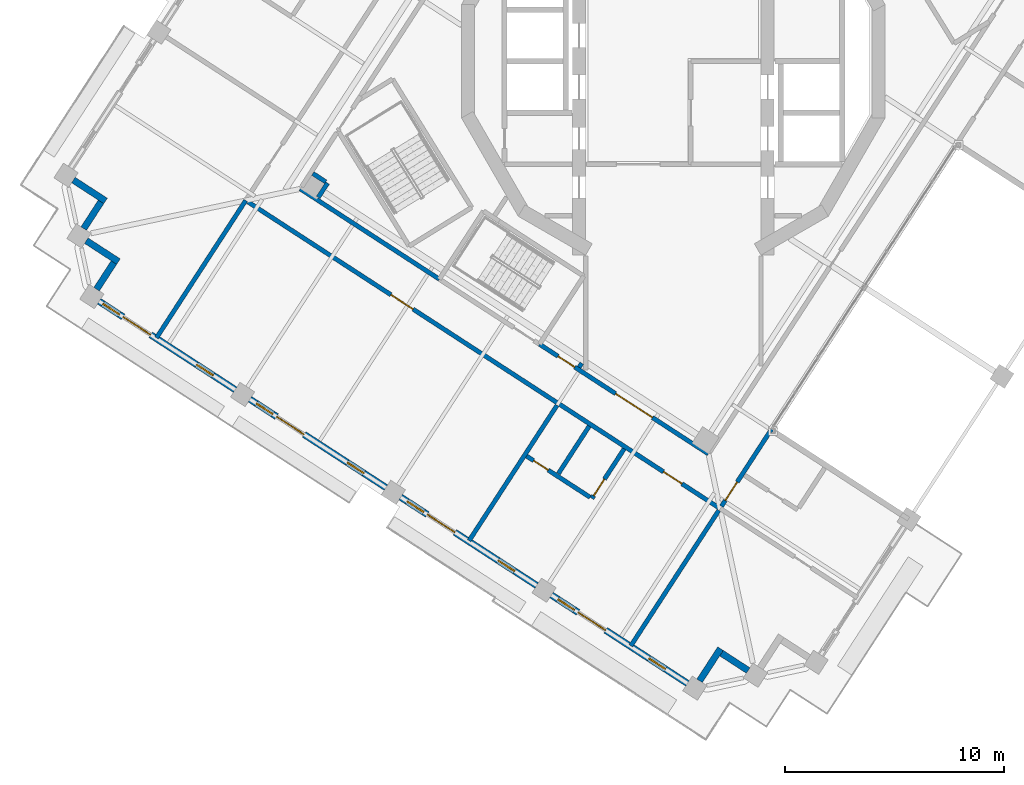
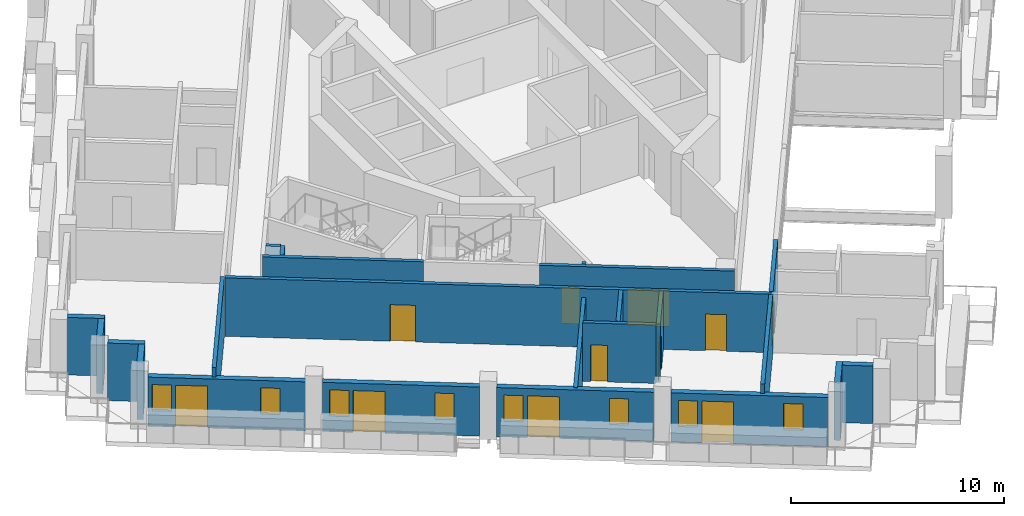
# One storey, part 5 of 17: 23 walls, 11 doors, 8 windows, 19 openings.
"""IFC4 building model written with IfcOpenShell, lengths in metres."""

from ifc_helpers import new_model, si_unit, direction, frame, frame_2d, origin, place, context, subcontext, project, spatial, rectangle, extrude, material, layer, layer_set, type_object, element, fill, save


model = new_model("IFC4")

# Units and contexts
model_context = context("Model", 3, precision=1e-05, world=origin(), true_north=direction((0.0, 1.0)))
body_context = subcontext(model_context, "Body", "Model", "MODEL_VIEW")
ifc_project = project(units=[si_unit("LENGTHUNIT", "METRE"), si_unit("AREAUNIT", "SQUARE_METRE"), si_unit("VOLUMEUNIT", "CUBIC_METRE"), si_unit("PLANEANGLEUNIT", "RADIAN"), si_unit("MASSUNIT", "GRAM", prefix="KILO")], contexts=[model_context])

# Site, building, storey
site_placement = place(None, origin())
site = spatial("IfcSite", under=ifc_project, at=site_placement, CompositionType="ELEMENT")
building_placement = place(site_placement, origin())
building = spatial("IfcBuilding", under=site, at=building_placement, Name="Cantera Rosa Tower", CompositionType="ELEMENT")
storey_placement = place(building_placement, frame((0.0, 0.0, 254.10009765625)))
storey = spatial("IfcBuildingStorey", under=building, at=storey_placement, Name="L56", CompositionType="ELEMENT", Elevation=254.10009765625)

# Wall, openings, doors
ifc_material_1 = material(Name="Gypsum board partition")
ifc_layer_1 = layer(ifc_material_1, 0.199951171875)
ifc_layer_set_1 = layer_set([ifc_layer_1], Name="CORRIDOR WALL 200 H3350")
wall_type_1 = type_object("IfcWallType", Name="CORRIDOR WALL 200 H3350", PredefinedType="PARTITIONING", material=ifc_layer_set_1)
wall_1_placement = place(storey_placement, frame((-19.4052734375, -6.416259765625, 0.0), z_axis=(0.0, 0.0, 1.0), x_axis=(0.83867117695, -0.544638097229, 0.0)))
wall_1 = element("IfcWall", 1, at=wall_1_placement, inside=storey, type_object=wall_type_1, Name="CORRIDOR WALL L56-002", PredefinedType="PARTITIONING", context=body_context, shape_type="SweptSolid", body=[
    extrude(rectangle(XDim=25.679931640625, YDim=0.199951171875, at=frame_2d((12.83984375, 0.0))), origin(), (0.0, 0.0, 1.0), 3.349853515625),
])
opening_1_placement = place(wall_1_placement, frame((7.780029296875, 0.0, 0.0)))
opening_1 = element("IfcOpeningElement", 2, at=opening_1_placement, cuts=wall_1, Name="Opening L56-037", PredefinedType="OPENING", context=body_context, shape_type="SweptSolid", body=[
    extrude(rectangle(XDim=1.199951171875, YDim=2.10009765625, at=frame_2d((0.60009765625, 1.050048828125))), frame((0.0, 0.10986328125, 0.0), z_axis=(0.0, -1.0, 0.0), x_axis=(1.0, 0.0, 0.0)), (0.0, 0.0, 1.0), 0.219970703125),
])
opening_2_placement = place(wall_1_placement, frame((22.60498046875, 0.0, 0.0)))
opening_2 = element("IfcOpeningElement", 3, at=opening_2_placement, cuts=wall_1, Name="Opening L56-038", PredefinedType="OPENING", context=body_context, shape_type="SweptSolid", body=[
    extrude(rectangle(XDim=1.0, YDim=2.10009765625, at=frame_2d((0.5, 1.050048828125))), frame((0.0, 0.10986328125, 0.0), z_axis=(0.0, -1.0, 0.0), x_axis=(1.0, 0.0, 0.0)), (0.0, 0.0, 1.0), 0.219970703125),
])
ifc_material_2 = material(Name="Timber door leaf", Category="wood")
door_type_1 = type_object("IfcDoorType", Name="ENTRANCE DOOR 1000x2100", OperationType="NOTDEFINED", PredefinedType="DOOR", material=ifc_material_2)
door_1_placement = place(opening_2_placement, origin())
door_1 = element("IfcDoor", 4, at=door_1_placement, inside=storey, type_object=door_type_1, Name="DOOR L56-038", OperationType="NOTDEFINED", OverallHeight=2.10009765625, OverallWidth=1.0, PredefinedType="DOOR", context=body_context, shape_type="SweptSolid", body=[
    extrude(rectangle(XDim=1.0, YDim=2.10009765625, at=frame_2d((0.5, 1.050048828125))), frame((0.0, 0.02490234375, 0.0), z_axis=(0.0, -1.0, 0.0), x_axis=(1.0, 0.0, 0.0)), (0.0, 0.0, 1.0), 0.050048828125),
])
fill(opening_2, door_1)
ifc_material_3 = material(Name="Timber door leaf", Category="wood")
door_type_2 = type_object("IfcDoorType", Name="ROOM DOOR 1200x2100", OperationType="NOTDEFINED", PredefinedType="DOOR", material=ifc_material_3)
door_2_placement = place(opening_1_placement, origin())
door_2 = element("IfcDoor", 5, at=door_2_placement, inside=storey, type_object=door_type_2, Name="DOOR L56-037", OperationType="NOTDEFINED", OverallHeight=2.10009765625, OverallWidth=1.199951171875, PredefinedType="DOOR", context=body_context, shape_type="SweptSolid", body=[
    extrude(rectangle(XDim=1.199951171875, YDim=2.10009765625, at=frame_2d((0.60009765625, 1.050048828125))), frame((0.0, 0.02490234375, 0.0), z_axis=(0.0, -1.0, 0.0), x_axis=(1.0, 0.0, 0.0)), (0.0, 0.0, 1.0), 0.050048828125),
])
fill(opening_1, door_2)

# Wall
wall_2_placement = place(storey_placement, frame((-17.015869140625, -5.82177734375, 0.0), z_axis=(0.0, 0.0, 1.0), x_axis=(0.838672854678, -0.544635513739, 0.0)))
element("IfcWall", 6, at=wall_2_placement, inside=storey, type_object=wall_type_1, Name="CORRIDOR WALL L56-005", PredefinedType="PARTITIONING", context=body_context, shape_type="SweptSolid", body=[
    extrude(rectangle(XDim=7.56494140625, YDim=0.199951171875, at=frame_2d((3.782470703125, 0.0))), origin(), (0.0, 0.0, 1.0), 3.349853515625),
])

# Wall, openings, doors
wall_3_placement = place(storey_placement, frame((-6.1005859375, -12.91015625, 0.0), z_axis=(0.0, 0.0, 1.0), x_axis=(0.838671883824, -0.544637008734, 0.0)))
wall_3 = element("IfcWall", 7, at=wall_3_placement, inside=storey, type_object=wall_type_1, Name="CORRIDOR WALL L56-031", PredefinedType="PARTITIONING", context=body_context, shape_type="SweptSolid", body=[
    extrude(rectangle(XDim=9.184814453125, YDim=0.199951171875, at=frame_2d((4.59228515625, 0.0))), origin(), (0.0, 0.0, 1.0), 3.349853515625),
])
opening_3_placement = place(wall_3_placement, frame((1.009521484375, 0.0, 0.0)))
opening_3 = element("IfcOpeningElement", 8, at=opening_3_placement, cuts=wall_3, Name="Opening L56-005", PredefinedType="OPENING", context=body_context, shape_type="SweptSolid", body=[
    extrude(rectangle(XDim=0.89990234375, YDim=2.10009765625, at=frame_2d((0.449951171875, 1.050048828125))), frame((0.0, 0.10986328125, 0.0), z_axis=(0.0, -1.0, 0.0), x_axis=(1.0, 0.0, 0.0)), (0.0, 0.0, 1.0), 0.219970703125),
])
opening_4_placement = place(wall_3_placement, frame((4.135009765625, 0.0, 0.0)))
opening_4 = element("IfcOpeningElement", 9, at=opening_4_placement, cuts=wall_3, Name="Opening L56-010", PredefinedType="OPENING", context=body_context, shape_type="SweptSolid", body=[
    extrude(rectangle(XDim=2.0, YDim=2.10009765625, at=frame_2d((1.0, 1.050048828125))), frame((0.0, 0.10986328125, 0.0), z_axis=(0.0, -1.0, 0.0), x_axis=(1.0, 0.0, 0.0)), (0.0, 0.0, 1.0), 0.219970703125),
])
ifc_material_4 = material(Name="Steel S355J2 (EN 10025-2)", Category="steel")
door_type_3 = type_object("IfcDoorType", Name="LOBBY SCREEN DOOR 2000x2100", OperationType="NOTDEFINED", PredefinedType="DOOR", material=ifc_material_4)
door_3_placement = place(opening_4_placement, origin())
door_3 = element("IfcDoor", 10, at=door_3_placement, inside=storey, type_object=door_type_3, Name="DOOR L56-010", OperationType="NOTDEFINED", OverallHeight=2.10009765625, OverallWidth=2.0, PredefinedType="DOOR", context=body_context, shape_type="SweptSolid", body=[
    extrude(rectangle(XDim=2.0, YDim=2.10009765625, at=frame_2d((1.0, 1.050048828125))), frame((0.0, 0.02490234375, 0.0), z_axis=(0.0, -1.0, 0.0), x_axis=(1.0, 0.0, 0.0)), (0.0, 0.0, 1.0), 0.050048828125),
])
fill(opening_4, door_3)
ifc_material_5 = material(Name="Timber door leaf", Category="wood")
door_type_4 = type_object("IfcDoorType", Name="SERVICE DOOR 900x2100", OperationType="NOTDEFINED", PredefinedType="DOOR", material=ifc_material_5)
door_4_placement = place(opening_3_placement, origin())
door_4 = element("IfcDoor", 11, at=door_4_placement, inside=storey, type_object=door_type_4, Name="DOOR L56-005", OperationType="NOTDEFINED", OverallHeight=2.10009765625, OverallWidth=0.89990234375, PredefinedType="DOOR", context=body_context, shape_type="SweptSolid", body=[
    extrude(rectangle(XDim=0.89990234375, YDim=2.10009765625, at=frame_2d((0.449951171875, 1.050048828125))), frame((0.0, 0.02490234375, 0.0), z_axis=(0.0, -1.0, 0.0), x_axis=(1.0, 0.0, 0.0)), (0.0, 0.0, 1.0), 0.050048828125),
])
fill(opening_3, door_4)

# Wall, opening, door
wall_4_placement = place(storey_placement, frame((2.197265625, -20.302001953125, 0.0), z_axis=(0.0, 0.0, 1.0), x_axis=(0.544627823196, 0.83867784888, 0.0)))
wall_4 = element("IfcWall", 12, at=wall_4_placement, inside=storey, type_object=wall_type_1, Name="CORRIDOR WALL L56-059", PredefinedType="PARTITIONING", context=body_context, shape_type="SweptSolid", body=[
    extrude(rectangle(XDim=4.284912109375, YDim=0.199951171875, at=frame_2d((2.142578125, 0.0))), origin(), (0.0, 0.0, 1.0), 3.349853515625),
])
opening_5_placement = place(wall_4_placement, frame((0.320068359375, 0.0, 0.0)))
opening_5 = element("IfcOpeningElement", 13, at=opening_5_placement, cuts=wall_4, Name="Opening L56-043", PredefinedType="OPENING", context=body_context, shape_type="SweptSolid", body=[
    extrude(rectangle(XDim=1.0, YDim=2.10009765625, at=frame_2d((0.5, 1.050048828125))), frame((0.0, 0.10986328125, 0.0), z_axis=(0.0, -1.0, 0.0), x_axis=(1.0, 0.0, 0.0)), (0.0, 0.0, 1.0), 0.219970703125),
])
door_5_placement = place(opening_5_placement, origin())
door_5 = element("IfcDoor", 14, at=door_5_placement, inside=storey, type_object=door_type_1, Name="DOOR L56-043", OperationType="NOTDEFINED", OverallHeight=2.10009765625, OverallWidth=1.0, PredefinedType="DOOR", context=body_context, shape_type="SweptSolid", body=[
    extrude(rectangle(XDim=1.0, YDim=2.10009765625, at=frame_2d((0.5, 1.050048828125))), frame((0.0, 0.02490234375, 0.0), z_axis=(0.0, -1.0, 0.0), x_axis=(1.0, 0.0, 0.0)), (0.0, 0.0, 1.0), 0.050048828125),
])
fill(opening_5, door_5)

# Walls
ifc_material_6 = material(Name="Hollow clay masonry with cantera stone cladding", Category="masonry")
ifc_layer_2 = layer(ifc_material_6, 0.300048828125)
ifc_layer_set_2 = layer_set([ifc_layer_2], Name="EW-LOGGIA 300")
wall_type_2 = type_object("IfcWallType", Name="EW-LOGGIA 300", PredefinedType="SOLIDWALL", material=ifc_layer_set_2)
wall_5_placement = place(storey_placement, frame((-27.36669921875, -5.41943359375, 0.0), z_axis=(0.0, 0.0, 1.0), x_axis=(0.838685761837, -0.54461563776, 0.0)))
element("IfcWall", 15, at=wall_5_placement, inside=storey, type_object=wall_type_2, Name="EN-L56-W12a", PredefinedType="SOLIDWALL", context=body_context, shape_type="SweptSolid", body=[
    extrude(rectangle(XDim=1.75, YDim=0.300048828125, at=frame_2d((0.875, 0.0))), origin(), (0.0, 0.0, 1.0), 3.2998046875),
])
wall_6_placement = place(storey_placement, frame((-26.1064453125, -6.41650390625, 0.0), z_axis=(0.0, 0.0, 1.0), x_axis=(-0.54467465438, -0.838647435384, 0.0)))
element("IfcWall", 16, at=wall_6_placement, inside=storey, type_object=wall_type_2, Name="EN-L56-W12b", PredefinedType="SOLIDWALL", context=body_context, shape_type="SweptSolid", body=[
    extrude(rectangle(XDim=1.449951171875, YDim=0.300048828125, at=frame_2d((0.72509765625, 0.0))), origin(), (0.0, 0.0, 1.0), 3.2998046875),
])
wall_7_placement = place(storey_placement, frame((-26.778564453125, -8.18603515625, 0.0), z_axis=(0.0, 0.0, 1.0), x_axis=(0.838685761837, -0.54461563776, 0.0)))
element("IfcWall", 17, at=wall_7_placement, inside=storey, type_object=wall_type_2, Name="EN-L56-W13a", PredefinedType="SOLIDWALL", context=body_context, shape_type="SweptSolid", body=[
    extrude(rectangle(XDim=1.75, YDim=0.300048828125, at=frame_2d((0.875, 0.0))), origin(), (0.0, 0.0, 1.0), 3.2998046875),
])
wall_8_placement = place(storey_placement, frame((-25.518310546875, -9.18310546875, 0.0), z_axis=(0.0, 0.0, 1.0), x_axis=(-0.54467465438, -0.838647435384, 0.0)))
element("IfcWall", 18, at=wall_8_placement, inside=storey, type_object=wall_type_2, Name="EN-L56-W13b", PredefinedType="SOLIDWALL", context=body_context, shape_type="SweptSolid", body=[
    extrude(rectangle(XDim=1.449951171875, YDim=0.300048828125, at=frame_2d((0.72509765625, 0.0))), origin(), (0.0, 0.0, 1.0), 3.2998046875),
])
wall_9_placement = place(storey_placement, frame((1.2001953125, -28.263427734375, 0.0), z_axis=(0.0, 0.0, 1.0), x_axis=(0.54461563776, 0.838685761837, 0.0)))
element("IfcWall", 19, at=wall_9_placement, inside=storey, type_object=wall_type_2, Name="EN-L56-W18a", PredefinedType="SOLIDWALL", context=body_context, shape_type="SweptSolid", body=[
    extrude(rectangle(XDim=1.75, YDim=0.300048828125, at=frame_2d((0.875, 0.0))), origin(), (0.0, 0.0, 1.0), 3.2998046875),
])
wall_10_placement = place(storey_placement, frame((2.197509765625, -27.003173828125, 0.0), z_axis=(0.0, 0.0, 1.0), x_axis=(0.838647435384, -0.54467465438, 0.0)))
element("IfcWall", 20, at=wall_10_placement, inside=storey, type_object=wall_type_2, Name="EN-L56-W18b", PredefinedType="SOLIDWALL", context=body_context, shape_type="SweptSolid", body=[
    extrude(rectangle(XDim=1.449951171875, YDim=0.300048828125, at=frame_2d((0.72509765625, 0.0))), origin(), (0.0, 0.0, 1.0), 3.2998046875),
])

# Wall, openings, windows, door
ifc_material_7 = material(Name="Hollow clay masonry with cantera stone cladding", Category="masonry")
ifc_layer_3 = layer(ifc_material_7, 0.300048828125)
ifc_layer_set_3 = layer_set([ifc_layer_3], Name="EW-LOGGIA 300 H2820")
wall_type_3 = type_object("IfcWallType", Name="EW-LOGGIA 300 H2820", PredefinedType="SOLIDWALL", material=ifc_layer_set_3)
wall_11_placement = place(storey_placement, frame((-26.1904296875, -10.95263671875, 0.0), z_axis=(0.0, 0.0, 1.0), x_axis=(0.838669679097, -0.544640403719, 0.0)))
wall_11 = element("IfcWall", 21, at=wall_11_placement, inside=storey, type_object=wall_type_3, Name="EN-L56-W14", PredefinedType="SOLIDWALL", context=body_context, shape_type="SweptSolid", body=[
    extrude(rectangle(XDim=7.39990234375, YDim=0.300048828125, at=frame_2d((3.699951171875, 0.0))), origin(), (0.0, 0.0, 1.0), 2.81982421875),
])
opening_6_placement = place(wall_11_placement, frame((0.199951171875, 0.0, 0.89990234375)))
opening_6 = element("IfcOpeningElement", 22, at=opening_6_placement, cuts=wall_11, Name="Opening L56-W28", PredefinedType="OPENING", context=body_context, shape_type="SweptSolid", body=[
    extrude(rectangle(XDim=0.89990234375, YDim=1.5, at=frame_2d((0.449951171875, 0.75))), frame((0.0, 0.159912109375, 0.0), z_axis=(0.0, -1.0, 0.0), x_axis=(1.0, 0.0, 0.0)), (0.0, 0.0, 1.0), 0.320068359375),
])
opening_7_placement = place(wall_11_placement, frame((1.300048828125, 0.0, 0.0)))
opening_7 = element("IfcOpeningElement", 23, at=opening_7_placement, cuts=wall_11, Name="Opening L56-TD29", PredefinedType="OPENING", context=body_context, shape_type="SweptSolid", body=[
    extrude(rectangle(XDim=1.5, YDim=2.39990234375, at=frame_2d((0.75, 1.199951171875))), frame((0.0, 0.159912109375, 0.0), z_axis=(0.0, -1.0, 0.0), x_axis=(1.0, 0.0, 0.0)), (0.0, 0.0, 1.0), 0.320068359375),
])
opening_8_placement = place(wall_11_placement, frame((5.300048828125, 0.0, 0.89990234375)))
opening_8 = element("IfcOpeningElement", 24, at=opening_8_placement, cuts=wall_11, Name="Opening L56-W30", PredefinedType="OPENING", context=body_context, shape_type="SweptSolid", body=[
    extrude(rectangle(XDim=0.89990234375, YDim=1.5, at=frame_2d((0.449951171875, 0.75))), frame((0.0, 0.159912109375, 0.0), z_axis=(0.0, -1.0, 0.0), x_axis=(1.0, 0.0, 0.0)), (0.0, 0.0, 1.0), 0.320068359375),
])
ifc_material_8 = material(Name="Aluminium frame with clear glass", Category="aluminium")
window_type = type_object("IfcWindowType", Name="Residential window 900x1500", PartitioningType="SINGLE_PANEL", PredefinedType="WINDOW", material=ifc_material_8)
window_1_placement = place(opening_6_placement, origin())
window_1 = element("IfcWindow", 25, at=window_1_placement, inside=storey, type_object=window_type, Name="WINDOW L56-W28", OverallHeight=1.5, OverallWidth=0.89990234375, PartitioningType="SINGLE_PANEL", PredefinedType="WINDOW", context=body_context, shape_type="SweptSolid", body=[
    extrude(rectangle(XDim=0.89990234375, YDim=1.5, at=frame_2d((0.449951171875, 0.75))), frame((0.0, 0.030029296875, 0.0), z_axis=(0.0, -1.0, 0.0), x_axis=(1.0, 0.0, 0.0)), (0.0, 0.0, 1.0), 0.06005859375),
])
fill(opening_6, window_1)
window_2_placement = place(opening_8_placement, origin())
window_2 = element("IfcWindow", 26, at=window_2_placement, inside=storey, type_object=window_type, Name="WINDOW L56-W30", OverallHeight=1.5, OverallWidth=0.89990234375, PartitioningType="SINGLE_PANEL", PredefinedType="WINDOW", context=body_context, shape_type="SweptSolid", body=[
    extrude(rectangle(XDim=0.89990234375, YDim=1.5, at=frame_2d((0.449951171875, 0.75))), frame((0.0, 0.030029296875, 0.0), z_axis=(0.0, -1.0, 0.0), x_axis=(1.0, 0.0, 0.0)), (0.0, 0.0, 1.0), 0.06005859375),
])
fill(opening_8, window_2)
ifc_material_9 = material(Name="Aluminium frame with clear glass", Category="aluminium")
door_type_5 = type_object("IfcDoorType", Name="TD-R 1500x2400", OperationType="NOTDEFINED", PredefinedType="DOOR", material=ifc_material_9)
door_6_placement = place(opening_7_placement, origin())
door_6 = element("IfcDoor", 27, at=door_6_placement, inside=storey, type_object=door_type_5, Name="LOGGIA DOOR L56-TD29", OperationType="SLIDING_TO_LEFT", OverallHeight=2.39990234375, OverallWidth=1.5, PredefinedType="DOOR", context=body_context, shape_type="SweptSolid", body=[
    extrude(rectangle(XDim=1.5, YDim=2.39990234375, at=frame_2d((0.75, 1.199951171875))), frame((0.0, 0.02490234375, 0.0), z_axis=(0.0, -1.0, 0.0), x_axis=(1.0, 0.0, 0.0)), (0.0, 0.0, 1.0), 0.050048828125),
])
fill(opening_7, door_6)

wall_12_placement = place(storey_placement, frame((-19.3134765625, -15.418701171875, 0.0), z_axis=(0.0, 0.0, 1.0), x_axis=(0.838679465365, -0.544625333946, 0.0)))
wall_12 = element("IfcWall", 28, at=wall_12_placement, inside=storey, type_object=wall_type_3, Name="EN-L56-W15", PredefinedType="SOLIDWALL", context=body_context, shape_type="SweptSolid", body=[
    extrude(rectangle(XDim=7.400146484375, YDim=0.300048828125, at=frame_2d((3.7001953125, 0.0))), origin(), (0.0, 0.0, 1.0), 2.81982421875),
])
opening_9_placement = place(wall_12_placement, frame((0.35009765625, 0.0, 0.89990234375)))
opening_9 = element("IfcOpeningElement", 29, at=opening_9_placement, cuts=wall_12, Name="Opening L56-W31", PredefinedType="OPENING", context=body_context, shape_type="SweptSolid", body=[
    extrude(rectangle(XDim=0.89990234375, YDim=1.5, at=frame_2d((0.449951171875, 0.75))), frame((0.0, 0.159912109375, 0.0), z_axis=(0.0, -1.0, 0.0), x_axis=(1.0, 0.0, 0.0)), (0.0, 0.0, 1.0), 0.320068359375),
])
opening_10_placement = place(wall_12_placement, frame((1.449951171875, 0.0, 0.0)))
opening_10 = element("IfcOpeningElement", 30, at=opening_10_placement, cuts=wall_12, Name="Opening L56-TD32", PredefinedType="OPENING", context=body_context, shape_type="SweptSolid", body=[
    extrude(rectangle(XDim=1.5, YDim=2.39990234375, at=frame_2d((0.75, 1.199951171875))), frame((0.0, 0.159912109375, 0.0), z_axis=(0.0, -1.0, 0.0), x_axis=(1.0, 0.0, 0.0)), (0.0, 0.0, 1.0), 0.320068359375),
])
opening_11_placement = place(wall_12_placement, frame((5.300048828125, 0.0, 0.89990234375)))
opening_11 = element("IfcOpeningElement", 31, at=opening_11_placement, cuts=wall_12, Name="Opening L56-W33", PredefinedType="OPENING", context=body_context, shape_type="SweptSolid", body=[
    extrude(rectangle(XDim=0.89990234375, YDim=1.5, at=frame_2d((0.449951171875, 0.75))), frame((0.0, 0.159912109375, 0.0), z_axis=(0.0, -1.0, 0.0), x_axis=(1.0, 0.0, 0.0)), (0.0, 0.0, 1.0), 0.320068359375),
])
window_3_placement = place(opening_9_placement, origin())
window_3 = element("IfcWindow", 32, at=window_3_placement, inside=storey, type_object=window_type, Name="WINDOW L56-W31", OverallHeight=1.5, OverallWidth=0.89990234375, PartitioningType="SINGLE_PANEL", PredefinedType="WINDOW", context=body_context, shape_type="SweptSolid", body=[
    extrude(rectangle(XDim=0.89990234375, YDim=1.5, at=frame_2d((0.449951171875, 0.75))), frame((0.0, 0.030029296875, 0.0), z_axis=(0.0, -1.0, 0.0), x_axis=(1.0, 0.0, 0.0)), (0.0, 0.0, 1.0), 0.06005859375),
])
fill(opening_9, window_3)
window_4_placement = place(opening_11_placement, origin())
window_4 = element("IfcWindow", 33, at=window_4_placement, inside=storey, type_object=window_type, Name="WINDOW L56-W33", OverallHeight=1.5, OverallWidth=0.89990234375, PartitioningType="SINGLE_PANEL", PredefinedType="WINDOW", context=body_context, shape_type="SweptSolid", body=[
    extrude(rectangle(XDim=0.89990234375, YDim=1.5, at=frame_2d((0.449951171875, 0.75))), frame((0.0, 0.030029296875, 0.0), z_axis=(0.0, -1.0, 0.0), x_axis=(1.0, 0.0, 0.0)), (0.0, 0.0, 1.0), 0.06005859375),
])
fill(opening_11, window_4)
door_7_placement = place(opening_10_placement, origin())
door_7 = element("IfcDoor", 34, at=door_7_placement, inside=storey, type_object=door_type_5, Name="LOGGIA DOOR L56-TD32", OperationType="SLIDING_TO_LEFT", OverallHeight=2.39990234375, OverallWidth=1.5, PredefinedType="DOOR", context=body_context, shape_type="SweptSolid", body=[
    extrude(rectangle(XDim=1.5, YDim=2.39990234375, at=frame_2d((0.75, 1.199951171875))), frame((0.0, 0.02490234375, 0.0), z_axis=(0.0, -1.0, 0.0), x_axis=(1.0, 0.0, 0.0)), (0.0, 0.0, 1.0), 0.050048828125),
])
fill(opening_10, door_7)

wall_13_placement = place(storey_placement, frame((-12.436279296875, -19.884765625, 0.0), z_axis=(0.0, 0.0, 1.0), x_axis=(0.838669679097, -0.544640403719, 0.0)))
wall_13 = element("IfcWall", 35, at=wall_13_placement, inside=storey, type_object=wall_type_3, Name="EN-L56-W16", PredefinedType="SOLIDWALL", context=body_context, shape_type="SweptSolid", body=[
    extrude(rectangle(XDim=7.39990234375, YDim=0.300048828125, at=frame_2d((3.699951171875, 0.0))), origin(), (0.0, 0.0, 1.0), 2.81982421875),
])
opening_12_placement = place(wall_13_placement, frame((0.35009765625, 0.0, 0.89990234375)))
opening_12 = element("IfcOpeningElement", 36, at=opening_12_placement, cuts=wall_13, Name="Opening L56-W34", PredefinedType="OPENING", context=body_context, shape_type="SweptSolid", body=[
    extrude(rectangle(XDim=0.89990234375, YDim=1.5, at=frame_2d((0.449951171875, 0.75))), frame((0.0, 0.159912109375, 0.0), z_axis=(0.0, -1.0, 0.0), x_axis=(1.0, 0.0, 0.0)), (0.0, 0.0, 1.0), 0.320068359375),
])
opening_13_placement = place(wall_13_placement, frame((1.449951171875, 0.0, 0.0)))
opening_13 = element("IfcOpeningElement", 37, at=opening_13_placement, cuts=wall_13, Name="Opening L56-TD35", PredefinedType="OPENING", context=body_context, shape_type="SweptSolid", body=[
    extrude(rectangle(XDim=1.5, YDim=2.39990234375, at=frame_2d((0.75, 1.199951171875))), frame((0.0, 0.159912109375, 0.0), z_axis=(0.0, -1.0, 0.0), x_axis=(1.0, 0.0, 0.0)), (0.0, 0.0, 1.0), 0.320068359375),
])
opening_14_placement = place(wall_13_placement, frame((5.300048828125, 0.0, 0.89990234375)))
opening_14 = element("IfcOpeningElement", 38, at=opening_14_placement, cuts=wall_13, Name="Opening L56-W36", PredefinedType="OPENING", context=body_context, shape_type="SweptSolid", body=[
    extrude(rectangle(XDim=0.89990234375, YDim=1.5, at=frame_2d((0.449951171875, 0.75))), frame((0.0, 0.159912109375, 0.0), z_axis=(0.0, -1.0, 0.0), x_axis=(1.0, 0.0, 0.0)), (0.0, 0.0, 1.0), 0.320068359375),
])
window_5_placement = place(opening_12_placement, origin())
window_5 = element("IfcWindow", 39, at=window_5_placement, inside=storey, type_object=window_type, Name="WINDOW L56-W34", OverallHeight=1.5, OverallWidth=0.89990234375, PartitioningType="SINGLE_PANEL", PredefinedType="WINDOW", context=body_context, shape_type="SweptSolid", body=[
    extrude(rectangle(XDim=0.89990234375, YDim=1.5, at=frame_2d((0.449951171875, 0.75))), frame((0.0, 0.030029296875, 0.0), z_axis=(0.0, -1.0, 0.0), x_axis=(1.0, 0.0, 0.0)), (0.0, 0.0, 1.0), 0.06005859375),
])
fill(opening_12, window_5)
window_6_placement = place(opening_14_placement, origin())
window_6 = element("IfcWindow", 40, at=window_6_placement, inside=storey, type_object=window_type, Name="WINDOW L56-W36", OverallHeight=1.5, OverallWidth=0.89990234375, PartitioningType="SINGLE_PANEL", PredefinedType="WINDOW", context=body_context, shape_type="SweptSolid", body=[
    extrude(rectangle(XDim=0.89990234375, YDim=1.5, at=frame_2d((0.449951171875, 0.75))), frame((0.0, 0.030029296875, 0.0), z_axis=(0.0, -1.0, 0.0), x_axis=(1.0, 0.0, 0.0)), (0.0, 0.0, 1.0), 0.06005859375),
])
fill(opening_14, window_6)
door_8_placement = place(opening_13_placement, origin())
door_8 = element("IfcDoor", 41, at=door_8_placement, inside=storey, type_object=door_type_5, Name="LOGGIA DOOR L56-TD35", OperationType="SLIDING_TO_LEFT", OverallHeight=2.39990234375, OverallWidth=1.5, PredefinedType="DOOR", context=body_context, shape_type="SweptSolid", body=[
    extrude(rectangle(XDim=1.5, YDim=2.39990234375, at=frame_2d((0.75, 1.199951171875))), frame((0.0, 0.02490234375, 0.0), z_axis=(0.0, -1.0, 0.0), x_axis=(1.0, 0.0, 0.0)), (0.0, 0.0, 1.0), 0.050048828125),
])
fill(opening_13, door_8)

wall_14_placement = place(storey_placement, frame((-5.559326171875, -24.350830078125, 0.0), z_axis=(0.0, 0.0, 1.0), x_axis=(0.838679465365, -0.544625333946, 0.0)))
wall_14 = element("IfcWall", 42, at=wall_14_placement, inside=storey, type_object=wall_type_3, Name="EN-L56-W17", PredefinedType="SOLIDWALL", context=body_context, shape_type="SweptSolid", body=[
    extrude(rectangle(XDim=7.400146484375, YDim=0.300048828125, at=frame_2d((3.7001953125, 0.0))), origin(), (0.0, 0.0, 1.0), 2.81982421875),
])
opening_15_placement = place(wall_14_placement, frame((0.35009765625, 0.0, 0.89990234375)))
opening_15 = element("IfcOpeningElement", 43, at=opening_15_placement, cuts=wall_14, Name="Opening L56-W37", PredefinedType="OPENING", context=body_context, shape_type="SweptSolid", body=[
    extrude(rectangle(XDim=0.89990234375, YDim=1.5, at=frame_2d((0.449951171875, 0.75))), frame((0.0, 0.159912109375, 0.0), z_axis=(0.0, -1.0, 0.0), x_axis=(1.0, 0.0, 0.0)), (0.0, 0.0, 1.0), 0.320068359375),
])
opening_16_placement = place(wall_14_placement, frame((1.449951171875, 0.0, 0.0)))
opening_16 = element("IfcOpeningElement", 44, at=opening_16_placement, cuts=wall_14, Name="Opening L56-TD38", PredefinedType="OPENING", context=body_context, shape_type="SweptSolid", body=[
    extrude(rectangle(XDim=1.5, YDim=2.39990234375, at=frame_2d((0.75, 1.199951171875))), frame((0.0, 0.159912109375, 0.0), z_axis=(0.0, -1.0, 0.0), x_axis=(1.0, 0.0, 0.0)), (0.0, 0.0, 1.0), 0.320068359375),
])
opening_17_placement = place(wall_14_placement, frame((5.300048828125, 0.0, 0.89990234375)))
opening_17 = element("IfcOpeningElement", 45, at=opening_17_placement, cuts=wall_14, Name="Opening L56-W39", PredefinedType="OPENING", context=body_context, shape_type="SweptSolid", body=[
    extrude(rectangle(XDim=0.89990234375, YDim=1.5, at=frame_2d((0.449951171875, 0.75))), frame((0.0, 0.159912109375, 0.0), z_axis=(0.0, -1.0, 0.0), x_axis=(1.0, 0.0, 0.0)), (0.0, 0.0, 1.0), 0.320068359375),
])
window_7_placement = place(opening_15_placement, origin())
window_7 = element("IfcWindow", 46, at=window_7_placement, inside=storey, type_object=window_type, Name="WINDOW L56-W37", OverallHeight=1.5, OverallWidth=0.89990234375, PartitioningType="SINGLE_PANEL", PredefinedType="WINDOW", context=body_context, shape_type="SweptSolid", body=[
    extrude(rectangle(XDim=0.89990234375, YDim=1.5, at=frame_2d((0.449951171875, 0.75))), frame((0.0, 0.030029296875, 0.0), z_axis=(0.0, -1.0, 0.0), x_axis=(1.0, 0.0, 0.0)), (0.0, 0.0, 1.0), 0.06005859375),
])
fill(opening_15, window_7)
window_8_placement = place(opening_17_placement, origin())
window_8 = element("IfcWindow", 47, at=window_8_placement, inside=storey, type_object=window_type, Name="WINDOW L56-W39", OverallHeight=1.5, OverallWidth=0.89990234375, PartitioningType="SINGLE_PANEL", PredefinedType="WINDOW", context=body_context, shape_type="SweptSolid", body=[
    extrude(rectangle(XDim=0.89990234375, YDim=1.5, at=frame_2d((0.449951171875, 0.75))), frame((0.0, 0.030029296875, 0.0), z_axis=(0.0, -1.0, 0.0), x_axis=(1.0, 0.0, 0.0)), (0.0, 0.0, 1.0), 0.06005859375),
])
fill(opening_17, window_8)
door_9_placement = place(opening_16_placement, origin())
door_9 = element("IfcDoor", 48, at=door_9_placement, inside=storey, type_object=door_type_5, Name="LOGGIA DOOR L56-TD38", OperationType="SLIDING_TO_LEFT", OverallHeight=2.39990234375, OverallWidth=1.5, PredefinedType="DOOR", context=body_context, shape_type="SweptSolid", body=[
    extrude(rectangle(XDim=1.5, YDim=2.39990234375, at=frame_2d((0.75, 1.199951171875))), frame((0.0, 0.02490234375, 0.0), z_axis=(0.0, -1.0, 0.0), x_axis=(1.0, 0.0, 0.0)), (0.0, 0.0, 1.0), 0.050048828125),
])
fill(opening_16, door_9)

# Walls
ifc_material_10 = material(Name="Gypsum board partition")
ifc_layer_4 = layer(ifc_material_10, 0.199951171875)
ifc_layer_set_4 = layer_set([ifc_layer_4], Name="PARTITION 200 H3350")
wall_type_4 = type_object("IfcWallType", Name="PARTITION 200 H3350", PredefinedType="PARTITIONING", material=ifc_layer_set_4)
wall_15_placement = place(storey_placement, frame((-19.505859375, -6.35107421875, 0.0), z_axis=(0.0, 0.0, 1.0), x_axis=(-0.544643659397, -0.838667564818, 0.0)))
element("IfcWall", 49, at=wall_15_placement, inside=storey, type_object=wall_type_4, Name="PARTITION L56-001", PredefinedType="PARTITIONING", context=body_context, shape_type="SweptSolid", body=[
    extrude(rectangle(XDim=7.4697265625, YDim=0.199951171875, at=frame_2d((3.73486328125, 0.0))), origin(), (0.0, 0.0, 1.0), 3.349853515625),
])
wall_16_placement = place(storey_placement, frame((-16.19580078125, -6.211181640625, 0.0), z_axis=(0.0, 0.0, 1.0), x_axis=(0.544691230082, 0.838636669764, 0.0)))
element("IfcWall", 50, at=wall_16_placement, inside=storey, type_object=wall_type_4, Name="PARTITION L56-006", PredefinedType="PARTITIONING", context=body_context, shape_type="SweptSolid", body=[
    extrude(rectangle(XDim=0.77978515625, YDim=0.199951171875, at=frame_2d((0.389892578125, 0.0))), origin(), (0.0, 0.0, 1.0), 3.349853515625),
])
wall_17_placement = place(storey_placement, frame((-15.854736328125, -5.502685546875, 0.0), z_axis=(0.0, 0.0, 1.0), x_axis=(-0.838642734471, 0.544681892409, 0.0)))
element("IfcWall", 51, at=wall_17_placement, inside=storey, type_object=wall_type_4, Name="PARTITION L56-007", PredefinedType="PARTITIONING", context=body_context, shape_type="SweptSolid", body=[
    extrude(rectangle(XDim=0.7001953125, YDim=0.199951171875, at=frame_2d((0.35009765625, 0.0))), origin(), (0.0, 0.0, 1.0), 3.349853515625),
])
wall_18_placement = place(storey_placement, frame((-4.17431640625, -13.772216796875, 0.0), z_axis=(0.0, 0.0, 1.0), x_axis=(-0.544950419994, -0.838468269971, 0.0)))
element("IfcWall", 52, at=wall_18_placement, inside=storey, type_object=wall_type_4, Name="PARTITION L56-040", PredefinedType="PARTITIONING", context=body_context, shape_type="SweptSolid", body=[
    extrude(rectangle(XDim=0.226318359375, YDim=0.199951171875, at=frame_2d((0.11328125, 0.0))), origin(), (0.0, 0.0, 1.0), 3.349853515625),
])
wall_19_placement = place(storey_placement, frame((-3.835205078125, -16.646728515625, 0.0), z_axis=(0.0, 0.0, 1.0), x_axis=(-0.544659035015, -0.838657579454, 0.0)))
element("IfcWall", 53, at=wall_19_placement, inside=storey, type_object=wall_type_4, Name="PARTITION L56-043", PredefinedType="PARTITIONING", context=body_context, shape_type="SweptSolid", body=[
    extrude(rectangle(XDim=2.580078125, YDim=0.199951171875, at=frame_2d((1.2900390625, 0.0))), origin(), (0.0, 0.0, 1.0), 3.349853515625),
])

# Wall, opening, door
wall_20_placement = place(storey_placement, frame((-3.796142578125, -19.8916015625, 0.0), z_axis=(0.0, 0.0, 1.0), x_axis=(-0.838695740102, 0.544600271332, 0.0)))
wall_20 = element("IfcWall", 54, at=wall_20_placement, inside=storey, type_object=wall_type_4, Name="PARTITION L56-044", PredefinedType="PARTITIONING", context=body_context, shape_type="SweptSolid", body=[
    extrude(rectangle(XDim=3.449951171875, YDim=0.199951171875, at=frame_2d((1.72509765625, 0.0))), origin(), (0.0, 0.0, 1.0), 3.349853515625),
])
opening_18_placement = place(wall_20_placement, frame((2.27490234375, 0.0, 0.0)))
opening_18 = element("IfcOpeningElement", 55, at=opening_18_placement, cuts=wall_20, Name="Opening L56-039", PredefinedType="OPENING", context=body_context, shape_type="SweptSolid", body=[
    extrude(rectangle(XDim=0.800048828125, YDim=2.10009765625, at=frame_2d((0.39990234375, 1.050048828125))), frame((0.0, 0.10986328125, 0.0), z_axis=(0.0, -1.0, 0.0), x_axis=(1.0, 0.0, 0.0)), (0.0, 0.0, 1.0), 0.219970703125),
])
ifc_material_11 = material(Name="Timber door leaf", Category="wood")
door_type_6 = type_object("IfcDoorType", Name="BATHROOM DOOR 800x2100", OperationType="NOTDEFINED", PredefinedType="DOOR", material=ifc_material_11)
door_10_placement = place(opening_18_placement, origin())
door_10 = element("IfcDoor", 56, at=door_10_placement, inside=storey, type_object=door_type_6, Name="DOOR L56-039", OperationType="NOTDEFINED", OverallHeight=2.10009765625, OverallWidth=0.800048828125, PredefinedType="DOOR", context=body_context, shape_type="SweptSolid", body=[
    extrude(rectangle(XDim=0.800048828125, YDim=2.10009765625, at=frame_2d((0.39990234375, 1.050048828125))), frame((0.0, 0.02490234375, 0.0), z_axis=(0.0, -1.0, 0.0), x_axis=(1.0, 0.0, 0.0)), (0.0, 0.0, 1.0), 0.050048828125),
])
fill(opening_18, door_10)

wall_21_placement = place(storey_placement, frame((-2.24169921875, -17.681640625, 0.0), z_axis=(0.0, 0.0, 1.0), x_axis=(-0.544686387605, -0.838639814913, 0.0)))
wall_21 = element("IfcWall", 57, at=wall_21_placement, inside=storey, type_object=wall_type_4, Name="PARTITION L56-045", PredefinedType="PARTITIONING", context=body_context, shape_type="SweptSolid", body=[
    extrude(rectangle(XDim=2.7001953125, YDim=0.199951171875, at=frame_2d((1.35009765625, 0.0))), origin(), (0.0, 0.0, 1.0), 3.349853515625),
])
opening_19_placement = place(wall_21_placement, frame((1.64990234375, 0.0, 0.0)))
opening_19 = element("IfcOpeningElement", 58, at=opening_19_placement, cuts=wall_21, Name="Opening L56-040", PredefinedType="OPENING", context=body_context, shape_type="SweptSolid", body=[
    extrude(rectangle(XDim=0.89990234375, YDim=2.10009765625, at=frame_2d((0.449951171875, 1.050048828125))), frame((0.0, 0.10986328125, 0.0), z_axis=(0.0, -1.0, 0.0), x_axis=(1.0, 0.0, 0.0)), (0.0, 0.0, 1.0), 0.219970703125),
])
ifc_material_12 = material(Name="Timber door leaf", Category="wood")
door_type_7 = type_object("IfcDoorType", Name="ROOM DOOR 900x2100", OperationType="NOTDEFINED", PredefinedType="DOOR", material=ifc_material_12)
door_11_placement = place(opening_19_placement, origin())
door_11 = element("IfcDoor", 59, at=door_11_placement, inside=storey, type_object=door_type_7, Name="DOOR L56-040", OperationType="NOTDEFINED", OverallHeight=2.10009765625, OverallWidth=0.89990234375, PredefinedType="DOOR", context=body_context, shape_type="SweptSolid", body=[
    extrude(rectangle(XDim=0.89990234375, YDim=2.10009765625, at=frame_2d((0.449951171875, 1.050048828125))), frame((0.0, 0.02490234375, 0.0), z_axis=(0.0, -1.0, 0.0), x_axis=(1.0, 0.0, 0.0)), (0.0, 0.0, 1.0), 0.050048828125),
])
fill(opening_19, door_11)

# Walls
ifc_material_13 = material(Name="Gypsum board partition")
ifc_layer_5 = layer(ifc_material_13, 0.199951171875)
ifc_layer_set_5 = layer_set([ifc_layer_5], Name="PARTY WALL 200 H2850")
wall_type_5 = type_object("IfcWallType", Name="PARTY WALL 200 H2850", PredefinedType="PARTITIONING", material=ifc_layer_set_5)
wall_22_placement = place(storey_placement, frame((-5.302978515625, -15.693603515625, 0.0), z_axis=(0.0, 0.0, 1.0), x_axis=(-0.544622691464, -0.838681181345, 0.0)))
element("IfcWall", 60, at=wall_22_placement, inside=storey, type_object=wall_type_5, Name="PARTY WALL L56-034", PredefinedType="PARTITIONING", context=body_context, shape_type="SweptSolid", body=[
    extrude(rectangle(XDim=7.3701171875, YDim=0.199951171875, at=frame_2d((3.68505859375, 0.0))), origin(), (0.0, 0.0, 1.0), 2.849853515625),
])
ifc_material_14 = material(Name="Gypsum board partition")
ifc_layer_6 = layer(ifc_material_14, 0.199951171875)
ifc_layer_set_6 = layer_set([ifc_layer_6], Name="PARTY WALL 200 H3350")
wall_type_6 = type_object("IfcWallType", Name="PARTY WALL 200 H3350", PredefinedType="PARTITIONING", material=ifc_layer_set_6)
wall_23_placement = place(storey_placement, frame((-1.9365234375, -26.66748046875, 0.0), z_axis=(0.0, 0.0, 1.0), x_axis=(0.544637822535, 0.838671355338, 0.0)))
element("IfcWall", 61, at=wall_23_placement, inside=storey, type_object=wall_type_6, Name="PARTY WALL L56-049", PredefinedType="PARTITIONING", context=body_context, shape_type="SweptSolid", body=[
    extrude(rectangle(XDim=7.369873046875, YDim=0.199951171875, at=frame_2d((3.68505859375, 0.0))), origin(), (0.0, 0.0, 1.0), 3.349853515625),
])

save(model, "model.ifc")
